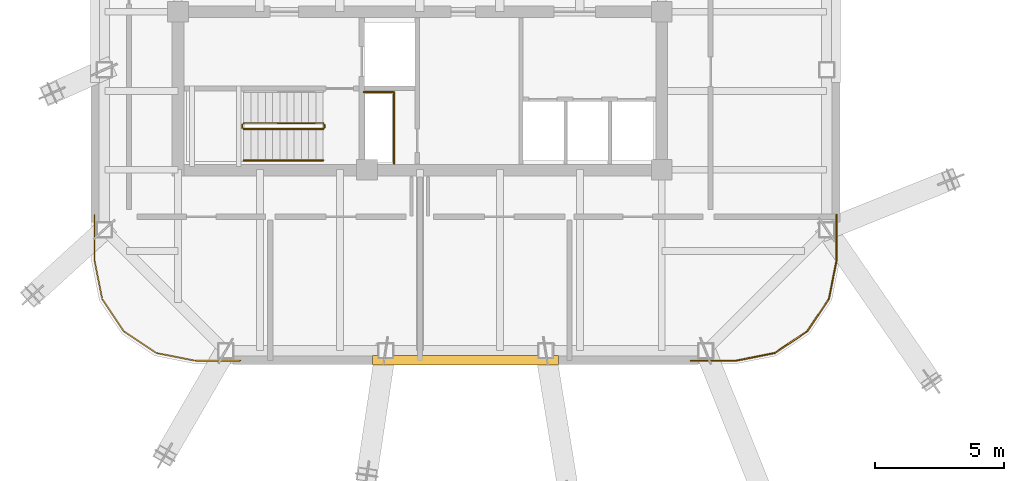
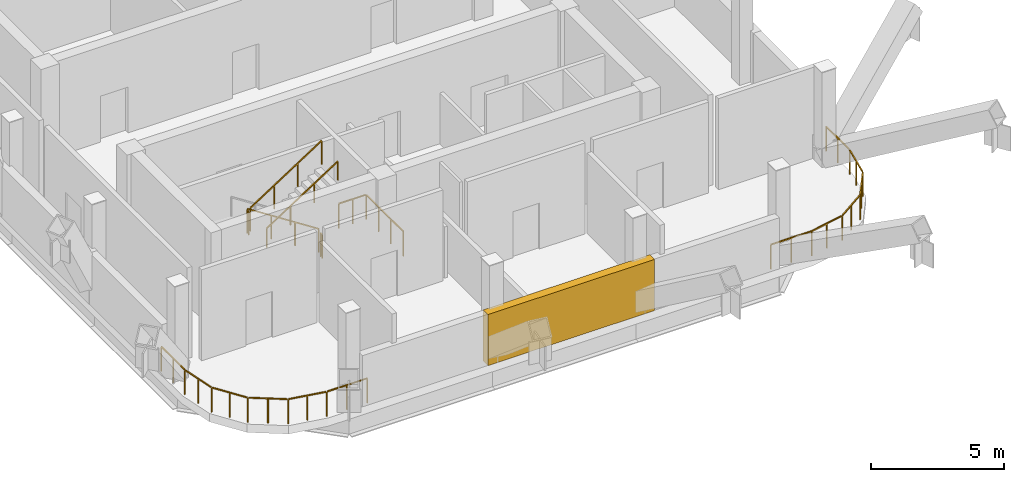
# One storey, part 5 of 7: 9 railings, 1 shading device.
"""IFC4 building model written with IfcOpenShell, lengths in metres."""

from ifc_helpers import new_model, si_unit, direction, frame, origin, origin_2d, place, context, subcontext, project, spatial, rectangle, extrude, material, type_object, element, save


model = new_model("IFC4")

# Units and contexts
model_context = context("Model", 3, precision=1e-05, world=origin(), true_north=direction((0.0, 1.0)))
body_context = subcontext(model_context, "Body", "Model", "MODEL_VIEW")
ifc_project = project(units=[si_unit("LENGTHUNIT", "METRE"), si_unit("AREAUNIT", "SQUARE_METRE"), si_unit("VOLUMEUNIT", "CUBIC_METRE"), si_unit("PLANEANGLEUNIT", "RADIAN"), si_unit("MASSUNIT", "GRAM", prefix="KILO")], contexts=[model_context])

# Site, building, storey
site_placement = place(None, origin())
site = spatial("IfcSite", under=ifc_project, at=site_placement, CompositionType="ELEMENT")
building_placement = place(site_placement, origin())
building = spatial("IfcBuilding", under=site, at=building_placement, Name="Qhalaya Broadcast Tower", CompositionType="ELEMENT")
storey_placement = place(building_placement, frame((0.0, 0.0, 238.5)))
storey = spatial("IfcBuildingStorey", under=building, at=storey_placement, Name="L70", CompositionType="ELEMENT", Elevation=238.5)

# Shading device
ifc_material_1 = material(Name="Fired Architectural Terracotta", Category="masonry")
shading_device_type = type_object("IfcShadingDeviceType", Name="Plant & Turbine-Slot Acoustic Louvre Screen LVS-01", PredefinedType="USERDEFINED", material=ifc_material_1)
shading_device_placement = place(storey_placement, frame((1.77001953125, -16.1298828125, 0.0), z_axis=(0.0, 0.0, 1.0), x_axis=(-1.0, 0.0, 0.0)))
element("IfcShadingDevice", 1, at=shading_device_placement, inside=storey, type_object=shading_device_type, Name="L70 Plant Acoustic Louvre Screen S", ObjectType="LOUVRE", PredefinedType="USERDEFINED", context=body_context, shape_type="SweptSolid", body=[
    extrude(rectangle(XDim=7.199951171875, YDim=0.360107421875, at=origin_2d()), origin(), (0.0, 0.0, 1.0), 2.340087890625),
])

# Railings
ifc_material_2 = material(Name="Powder-Coated Galvanised Steel", Category="steel")
railing_type_1 = type_object("IfcRailingType", Name="Stair Wall Handrail 900", PredefinedType="HANDRAIL", material=ifc_material_2)
railing_1_placement = place(storey_placement, frame((-6.830078125, -8.389892578125, 2.356201171875)))
element("IfcRailing", 2, at=railing_1_placement, inside=storey, type_object=railing_type_1, Name="L70 ST-2 Stair Handrail 2", PredefinedType="HANDRAIL", context=body_context, shape_type="SweptSolid", body=[
    extrude(rectangle(XDim=0.048095703125, YDim=0.048095703125, at=origin_2d()), frame((0.0, 0.0, 0.8759765625), z_axis=(0.8394576718, 0.0, 0.543425079708), x_axis=(0.0, 1.0, 0.0)), (0.0, 0.0, 1.0), 3.669189453125),
    extrude(rectangle(XDim=0.0419921875, YDim=0.0419921875, at=origin_2d()), origin(), (0.0, 0.0, 1.0), 0.849853515625),
    extrude(rectangle(XDim=0.0419921875, YDim=0.0419921875, at=origin_2d()), frame((1.026611328125, 0.0, 0.66455078125)), (0.0, 0.0, 1.0), 0.849853515625),
    extrude(rectangle(XDim=0.0419921875, YDim=0.0419921875, at=origin_2d()), frame((2.053466796875, 0.0, 1.329345703125)), (0.0, 0.0, 1.0), 0.849853515625),
    extrude(rectangle(XDim=0.0419921875, YDim=0.0419921875, at=origin_2d()), frame((3.080078125, 0.0, 1.993896484375)), (0.0, 0.0, 1.0), 0.849853515625),
])
railing_type_2 = type_object("IfcRailingType", Name="Stair Well & Landing Guardrail 1100", PredefinedType="GUARDRAIL", material=ifc_material_2)
railing_2_placement = place(storey_placement, frame((-1.0, -8.52001953125, 0.0)))
element("IfcRailing", 3, at=railing_2_placement, inside=storey, type_object=railing_type_2, Name="L70 Service Riser Opening Safety Guard SRSR", PredefinedType="GUARDRAIL", context=body_context, shape_type="SweptSolid", body=[
    extrude(rectangle(XDim=0.048095703125, YDim=0.048095703125, at=origin_2d()), frame((0.0, 0.0, 1.1259765625), z_axis=(0.0, 1.0, 0.0), x_axis=(-1.0, 0.0, 0.0)), (0.0, 0.0, 1.0), 2.751220703125),
    extrude(rectangle(XDim=0.048095703125, YDim=0.048095703125, at=origin_2d()), frame((-0.02880859375, 2.780029296875, 1.1259765625), z_axis=(-1.0, 0.0, 0.0), x_axis=(0.0, -1.0, 0.0)), (0.0, 0.0, 1.0), 1.151123046875),
    extrude(rectangle(XDim=0.0419921875, YDim=0.0419921875, at=origin_2d()), origin(), (0.0, 0.0, 1.0), 1.099853515625),
    extrude(rectangle(XDim=0.0419921875, YDim=0.0419921875, at=origin_2d()), frame((0.0, 0.9267578125, 0.0)), (0.0, 0.0, 1.0), 1.099853515625),
    extrude(rectangle(XDim=0.0419921875, YDim=0.0419921875, at=origin_2d()), frame((0.0, 1.853271484375, 0.0)), (0.0, 0.0, 1.0), 1.099853515625),
    extrude(rectangle(XDim=0.0419921875, YDim=0.0419921875, at=origin_2d()), frame((0.0, 2.780029296875, 0.0)), (0.0, 0.0, 1.0), 1.099853515625),
    extrude(rectangle(XDim=0.0419921875, YDim=0.0419921875, at=origin_2d()), frame((-0.58984375, 2.780029296875, 0.0)), (0.0, 0.0, 1.0), 1.099853515625),
    extrude(rectangle(XDim=0.0419921875, YDim=0.0419921875, at=origin_2d()), frame((-1.179931640625, 2.780029296875, 0.0)), (0.0, 0.0, 1.0), 1.099853515625),
])
railing_3_placement = place(storey_placement, frame((-3.75, -6.949951171875, 0.18115234375)))
element("IfcRailing", 4, at=railing_3_placement, inside=storey, type_object=railing_type_2, Name="L70 ST-2 Stair Guard 1", PredefinedType="GUARDRAIL", context=body_context, shape_type="SweptSolid", body=[
    extrude(rectangle(XDim=0.048095703125, YDim=0.048095703125, at=origin_2d()), frame((0.0, 0.0, 1.076171875), z_axis=(-0.8394576718, 0.0, 0.543425079708), x_axis=(0.0, -1.0, 0.0)), (0.0, 0.0, 1.0), 3.669189453125),
    extrude(rectangle(XDim=0.0419921875, YDim=0.0419921875, at=origin_2d()), origin(), (0.0, 0.0, 1.0), 1.050048828125),
    extrude(rectangle(XDim=0.0419921875, YDim=0.0419921875, at=origin_2d()), frame((-1.026611328125, 0.0, 0.66455078125)), (0.0, 0.0, 1.0), 1.050048828125),
    extrude(rectangle(XDim=0.0419921875, YDim=0.0419921875, at=origin_2d()), frame((-2.053466796875, 0.0, 1.329345703125)), (0.0, 0.0, 1.0), 1.050048828125),
    extrude(rectangle(XDim=0.0419921875, YDim=0.0419921875, at=origin_2d()), frame((-3.080078125, 0.0, 1.993896484375)), (0.0, 0.0, 1.0), 1.050048828125),
])
railing_4_placement = place(storey_placement, frame((-6.8798828125, -7.0, 2.175048828125)))
element("IfcRailing", 5, at=railing_4_placement, inside=storey, type_object=railing_type_2, Name="L70 ST-2 Stair Guard 2", PredefinedType="GUARDRAIL", context=body_context, shape_type="SweptSolid", body=[
    extrude(rectangle(XDim=0.048095703125, YDim=0.048095703125, at=origin_2d()), frame((0.0, 0.0, 1.076171875), z_axis=(0.0, -1.0, 0.0), x_axis=(1.0, 0.0, 0.0)), (0.0, 0.0, 1.0), 0.1201171875),
    extrude(rectangle(XDim=0.0419921875, YDim=0.0419921875, at=origin_2d()), origin(), (0.0, 0.0, 1.0), 1.050048828125),
    extrude(rectangle(XDim=0.0419921875, YDim=0.0419921875, at=origin_2d()), frame((0.0, -0.1201171875, 0.0)), (0.0, 0.0, 1.0), 1.050048828125),
])
railing_5_placement = place(storey_placement, frame((-6.830078125, -7.169921875, 2.356201171875)))
element("IfcRailing", 6, at=railing_5_placement, inside=storey, type_object=railing_type_2, Name="L70 ST-2 Stair Guard 3", PredefinedType="GUARDRAIL", context=body_context, shape_type="SweptSolid", body=[
    extrude(rectangle(XDim=0.048095703125, YDim=0.048095703125, at=origin_2d()), frame((0.0, 0.0, 1.076171875), z_axis=(0.8394576718, 0.0, 0.543425079708), x_axis=(0.0, 1.0, 0.0)), (0.0, 0.0, 1.0), 3.669189453125),
    extrude(rectangle(XDim=0.0419921875, YDim=0.0419921875, at=origin_2d()), origin(), (0.0, 0.0, 1.0), 1.050048828125),
    extrude(rectangle(XDim=0.0419921875, YDim=0.0419921875, at=origin_2d()), frame((1.026611328125, 0.0, 0.66455078125)), (0.0, 0.0, 1.0), 1.050048828125),
    extrude(rectangle(XDim=0.0419921875, YDim=0.0419921875, at=origin_2d()), frame((2.053466796875, 0.0, 1.329345703125)), (0.0, 0.0, 1.0), 1.050048828125),
    extrude(rectangle(XDim=0.0419921875, YDim=0.0419921875, at=origin_2d()), frame((3.080078125, 0.0, 1.993896484375)), (0.0, 0.0, 1.0), 1.050048828125),
])
railing_6_placement = place(storey_placement, frame((-3.699951171875, -7.0, 0.0)))
element("IfcRailing", 7, at=railing_6_placement, inside=storey, type_object=railing_type_2, Name="L70 ST-2 Stair Guard 4", PredefinedType="GUARDRAIL", context=body_context, shape_type="SweptSolid", body=[
    extrude(rectangle(XDim=0.048095703125, YDim=0.048095703125, at=origin_2d()), frame((0.0, 0.0, 1.076171875), z_axis=(0.0, -1.0, 0.0), x_axis=(1.0, 0.0, 0.0)), (0.0, 0.0, 1.0), 0.1201171875),
    extrude(rectangle(XDim=0.0419921875, YDim=0.0419921875, at=origin_2d()), origin(), (0.0, 0.0, 1.0), 1.050048828125),
    extrude(rectangle(XDim=0.0419921875, YDim=0.0419921875, at=origin_2d()), frame((0.0, -0.1201171875, 0.0)), (0.0, 0.0, 1.0), 1.050048828125),
])
railing_type_3 = type_object("IfcRailingType", Name="Terrace, Sky-Pool & Lookout Glass Balustrade 1150", PredefinedType="BALUSTRADE", material=ifc_material_2)
railing_7_placement = place(storey_placement, frame((12.25830078125, -16.14990234375, 0.0)))
element("IfcRailing", 8, at=railing_7_placement, inside=storey, type_object=railing_type_3, Name="L70 Rounded Corner Perimeter Guard 01", PredefinedType="BALUSTRADE", context=body_context, shape_type="SweptSolid", body=[
    extrude(rectangle(XDim=0.048095703125, YDim=0.048095703125, at=origin_2d()), frame((0.0, 0.0, 1.1259765625), z_axis=(-1.0, 0.0, 0.0), x_axis=(0.0, -1.0, 0.0)), (0.0, 0.0, 1.0), 1.75634765625),
    extrude(rectangle(XDim=0.0419921875, YDim=0.0419921875, at=origin_2d()), origin(), (0.0, 0.0, 1.0), 1.099853515625),
    extrude(rectangle(XDim=0.0419921875, YDim=0.0419921875, at=origin_2d()), frame((-0.878173828125, 0.0, 0.0)), (0.0, 0.0, 1.0), 1.099853515625),
    extrude(rectangle(XDim=0.0419921875, YDim=0.0419921875, at=origin_2d()), frame((-1.75634765625, 0.0, 0.0)), (0.0, 0.0, 1.0), 1.099853515625),
])
railing_8_placement = place(storey_placement, frame((-6.9619140625, -16.14990234375, 0.0)))
element("IfcRailing", 9, at=railing_8_placement, inside=storey, type_object=railing_type_3, Name="L70 Rounded Corner Perimeter Guard 02", PredefinedType="BALUSTRADE", context=body_context, shape_type="SweptSolid", body=[
    extrude(rectangle(XDim=0.048095703125, YDim=0.048095703125, at=origin_2d()), frame((0.0, 0.0, 1.1259765625), z_axis=(-1.0, 0.0, 0.0), x_axis=(0.0, -1.0, 0.0)), (0.0, 0.0, 1.0), 1.7275390625),
    extrude(rectangle(XDim=0.048095703125, YDim=0.048095703125, at=origin_2d()), frame((-1.78466796875, 0.005615234375, 1.1259765625), z_axis=(-0.980801732738, 0.195007592307, 0.0), x_axis=(-0.195007592307, -0.980801732738, 0.0)), (0.0, 0.0, 1.0), 1.46728515625),
    extrude(rectangle(XDim=0.048095703125, YDim=0.048095703125, at=origin_2d()), frame((-3.27587890625, 0.3134765625, 1.1259765625), z_axis=(-0.83147889372, 0.555556342146, 0.0), x_axis=(-0.555556342146, -0.83147889372, 0.0)), (0.0, 0.0, 1.0), 1.455322265625),
    extrude(rectangle(XDim=0.048095703125, YDim=0.048095703125, at=origin_2d()), frame((-4.526123046875, 1.161865234375, 1.1259765625), z_axis=(-0.555556342146, 0.83147889372, 0.0), x_axis=(-0.83147889372, -0.555556342146, 0.0)), (0.0, 0.0, 1.0), 1.455322265625),
    extrude(rectangle(XDim=0.048095703125, YDim=0.048095703125, at=origin_2d()), frame((-5.356201171875, 2.42431640625, 1.1259765625), z_axis=(-0.195161601391, 0.980771099361, 0.0), x_axis=(-0.980771099361, -0.195161601391, 0.0)), (0.0, 0.0, 1.0), 1.46728515625),
    extrude(rectangle(XDim=0.048095703125, YDim=0.048095703125, at=origin_2d()), frame((-5.648193359375, 3.92041015625, 1.1259765625), z_axis=(0.0, 1.0, 0.0), x_axis=(-1.0, 0.0, 0.0)), (0.0, 0.0, 1.0), 1.7275390625),
    extrude(rectangle(XDim=0.0419921875, YDim=0.0419921875, at=origin_2d()), origin(), (0.0, 0.0, 1.0), 1.099853515625),
    extrude(rectangle(XDim=0.0419921875, YDim=0.0419921875, at=origin_2d()), frame((-0.878173828125, 0.0, 0.0)), (0.0, 0.0, 1.0), 1.099853515625),
    extrude(rectangle(XDim=0.0419921875, YDim=0.0419921875, at=origin_2d()), frame((-1.75634765625, 0.0, 0.0)), (0.0, 0.0, 1.0), 1.099853515625),
    extrude(rectangle(XDim=0.0419921875, YDim=0.0419921875, at=origin_2d()), frame((-2.504150390625, 0.148681640625, 0.0)), (0.0, 0.0, 1.0), 1.099853515625),
    extrude(rectangle(XDim=0.0419921875, YDim=0.0419921875, at=origin_2d()), frame((-3.251953125, 0.29736328125, 0.0)), (0.0, 0.0, 1.0), 1.099853515625),
    extrude(rectangle(XDim=0.0419921875, YDim=0.0419921875, at=origin_2d()), frame((-3.880859375, 0.7177734375, 0.0)), (0.0, 0.0, 1.0), 1.099853515625),
    extrude(rectangle(XDim=0.0419921875, YDim=0.0419921875, at=origin_2d()), frame((-4.510009765625, 1.137939453125, 0.0)), (0.0, 0.0, 1.0), 1.099853515625),
    extrude(rectangle(XDim=0.0419921875, YDim=0.0419921875, at=origin_2d()), frame((-4.93017578125, 1.76708984375, 0.0)), (0.0, 0.0, 1.0), 1.099853515625),
    extrude(rectangle(XDim=0.0419921875, YDim=0.0419921875, at=origin_2d()), frame((-5.3505859375, 2.39599609375, 0.0)), (0.0, 0.0, 1.0), 1.099853515625),
    extrude(rectangle(XDim=0.0419921875, YDim=0.0419921875, at=origin_2d()), frame((-5.49951171875, 3.143798828125, 0.0)), (0.0, 0.0, 1.0), 1.099853515625),
    extrude(rectangle(XDim=0.0419921875, YDim=0.0419921875, at=origin_2d()), frame((-5.648193359375, 3.8916015625, 0.0)), (0.0, 0.0, 1.0), 1.099853515625),
    extrude(rectangle(XDim=0.0419921875, YDim=0.0419921875, at=origin_2d()), frame((-5.648193359375, 4.769775390625, 0.0)), (0.0, 0.0, 1.0), 1.099853515625),
    extrude(rectangle(XDim=0.0419921875, YDim=0.0419921875, at=origin_2d()), frame((-5.648193359375, 5.64794921875, 0.0)), (0.0, 0.0, 1.0), 1.099853515625),
])
railing_9_placement = place(storey_placement, frame((16.14990234375, -10.501953125, 0.0)))
element("IfcRailing", 10, at=railing_9_placement, inside=storey, type_object=railing_type_3, Name="L70 Rounded Corner Perimeter Guard 05", PredefinedType="BALUSTRADE", context=body_context, shape_type="SweptSolid", body=[
    extrude(rectangle(XDim=0.048095703125, YDim=0.048095703125, at=origin_2d()), frame((0.0, 0.0, 1.1259765625), z_axis=(0.0, -1.0, 0.0), x_axis=(1.0, 0.0, 0.0)), (0.0, 0.0, 1.0), 1.7275390625),
    extrude(rectangle(XDim=0.048095703125, YDim=0.048095703125, at=origin_2d()), frame((-0.005615234375, -1.78466796875, 1.1259765625), z_axis=(-0.195007592307, -0.980801732738, 0.0), x_axis=(0.980801732738, -0.195007592307, 0.0)), (0.0, 0.0, 1.0), 1.46728515625),
    extrude(rectangle(XDim=0.048095703125, YDim=0.048095703125, at=origin_2d()), frame((-0.3134765625, -3.27587890625, 1.1259765625), z_axis=(-0.555556342146, -0.83147889372, 0.0), x_axis=(0.83147889372, -0.555556342146, 0.0)), (0.0, 0.0, 1.0), 1.455322265625),
    extrude(rectangle(XDim=0.048095703125, YDim=0.048095703125, at=origin_2d()), frame((-1.161865234375, -4.526123046875, 1.1259765625), z_axis=(-0.83147889372, -0.555556342146, 0.0), x_axis=(0.555556342146, -0.83147889372, 0.0)), (0.0, 0.0, 1.0), 1.455322265625),
    extrude(rectangle(XDim=0.048095703125, YDim=0.048095703125, at=origin_2d()), frame((-2.42431640625, -5.356201171875, 1.1259765625), z_axis=(-0.980801732738, -0.195007592307, 0.0), x_axis=(0.195007592307, -0.980801732738, 0.0)), (0.0, 0.0, 1.0), 1.49609375),
    extrude(rectangle(XDim=0.0419921875, YDim=0.0419921875, at=origin_2d()), origin(), (0.0, 0.0, 1.0), 1.099853515625),
    extrude(rectangle(XDim=0.0419921875, YDim=0.0419921875, at=origin_2d()), frame((0.0, -0.878173828125, 0.0)), (0.0, 0.0, 1.0), 1.099853515625),
    extrude(rectangle(XDim=0.0419921875, YDim=0.0419921875, at=origin_2d()), frame((0.0, -1.75634765625, 0.0)), (0.0, 0.0, 1.0), 1.099853515625),
    extrude(rectangle(XDim=0.0419921875, YDim=0.0419921875, at=origin_2d()), frame((-0.148681640625, -2.504150390625, 0.0)), (0.0, 0.0, 1.0), 1.099853515625),
    extrude(rectangle(XDim=0.0419921875, YDim=0.0419921875, at=origin_2d()), frame((-0.29736328125, -3.251953125, 0.0)), (0.0, 0.0, 1.0), 1.099853515625),
    extrude(rectangle(XDim=0.0419921875, YDim=0.0419921875, at=origin_2d()), frame((-0.7177734375, -3.880859375, 0.0)), (0.0, 0.0, 1.0), 1.099853515625),
    extrude(rectangle(XDim=0.0419921875, YDim=0.0419921875, at=origin_2d()), frame((-1.137939453125, -4.510009765625, 0.0)), (0.0, 0.0, 1.0), 1.099853515625),
    extrude(rectangle(XDim=0.0419921875, YDim=0.0419921875, at=origin_2d()), frame((-1.76708984375, -4.93017578125, 0.0)), (0.0, 0.0, 1.0), 1.099853515625),
    extrude(rectangle(XDim=0.0419921875, YDim=0.0419921875, at=origin_2d()), frame((-2.39599609375, -5.3505859375, 0.0)), (0.0, 0.0, 1.0), 1.099853515625),
    extrude(rectangle(XDim=0.0419921875, YDim=0.0419921875, at=origin_2d()), frame((-3.143798828125, -5.499267578125, 0.0)), (0.0, 0.0, 1.0), 1.099853515625),
    extrude(rectangle(XDim=0.0419921875, YDim=0.0419921875, at=origin_2d()), frame((-3.8916015625, -5.64794921875, 0.0)), (0.0, 0.0, 1.0), 1.099853515625),
])

save(model, "model.ifc")
